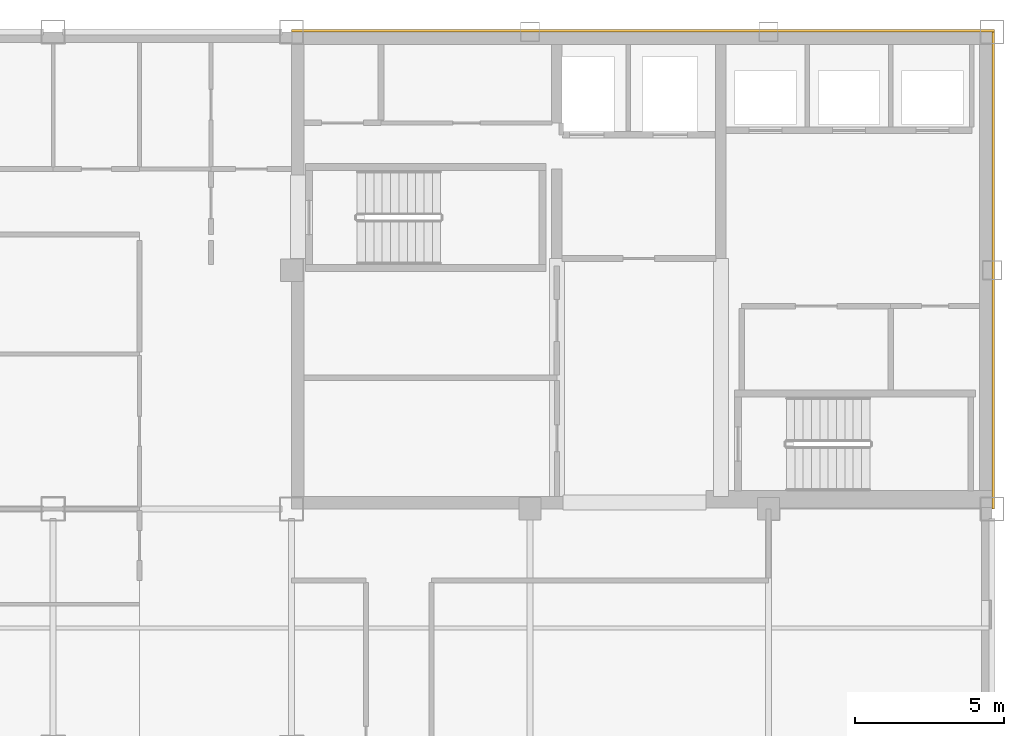
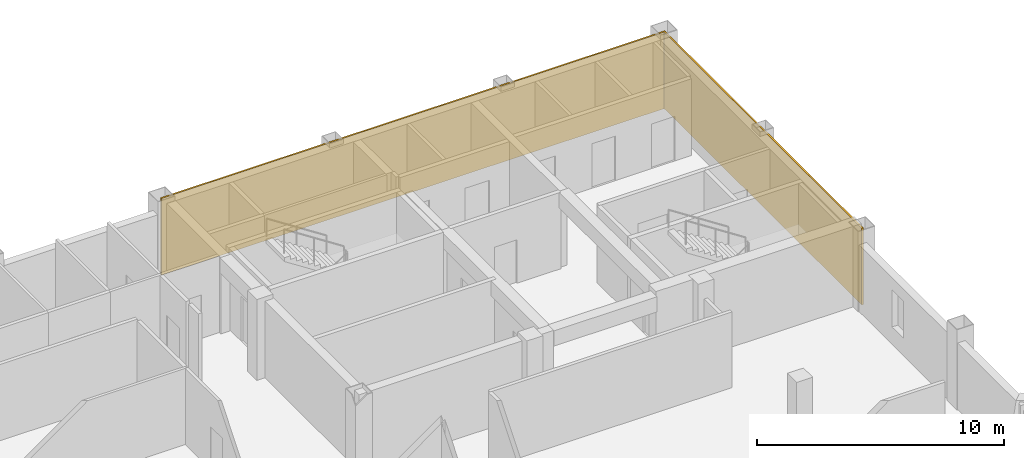
# One storey, part 7 of 7: 2 coverings.
"""IFC4 building model written with IfcOpenShell, lengths in metres."""

from ifc_helpers import new_model, si_unit, direction, frame, origin, origin_2d, place, context, subcontext, project, spatial, rectangle, extrude, material, layer, layer_set, type_object, element, save


model = new_model("IFC4")

# Units and contexts
model_context = context("Model", 3, precision=1e-05, world=origin(), true_north=direction((0.0, 1.0)))
body_context = subcontext(model_context, "Body", "Model", "MODEL_VIEW")
ifc_project = project(units=[si_unit("LENGTHUNIT", "METRE"), si_unit("AREAUNIT", "SQUARE_METRE"), si_unit("VOLUMEUNIT", "CUBIC_METRE"), si_unit("PLANEANGLEUNIT", "RADIAN"), si_unit("MASSUNIT", "GRAM", prefix="KILO")], contexts=[model_context])

# Site, building, storey
site_placement = place(None, origin())
site = spatial("IfcSite", under=ifc_project, at=site_placement, CompositionType="ELEMENT")
building_placement = place(site_placement, origin())
building = spatial("IfcBuilding", under=site, at=building_placement, Name="Qianrong Seaharbour Tower", CompositionType="ELEMENT")
storey_placement = place(building_placement, frame((0.0, 0.0, 311.199951171875)))
storey = spatial("IfcBuildingStorey", under=building, at=storey_placement, Name="L75", CompositionType="ELEMENT", Elevation=311.199951171875)

# Coverings
ifc_material = material(Name="Unitised red brick cladding on Precast concrete C45/55", Category="masonry")
ifc_layer = layer(ifc_material, 0.080078125)
ifc_layer_set = layer_set([ifc_layer], Name="Unitised red brick cladding on Precast concrete C45/55")
covering_type = type_object("IfcCoveringType", Name="COV-CLAD-RED-BRICK-80", PredefinedType="CLADDING", material=ifc_layer_set)
covering_1_placement = place(storey_placement, frame((52.2900390625, 52.0400390625, 0.0), z_axis=(0.0, 0.0, 1.0), x_axis=(1.0, 0.0, 0.0)))
element("IfcCovering", 1, at=covering_1_placement, inside=storey, type_object=covering_type, Name="L75 North Core Brick Veneer Cladding", PredefinedType="CLADDING", context=body_context, shape_type="SweptSolid", body=[
    extrude(rectangle(XDim=23.580078125, YDim=0.080078125, at=origin_2d()), origin(), (0.0, 0.0, 1.0), 3.784912109375),
])
covering_2_placement = place(storey_placement, frame((64.0400390625, 44.0, 0.0), z_axis=(0.0, 0.0, 1.0), x_axis=(1.0, 0.0, 0.0)))
element("IfcCovering", 2, at=covering_2_placement, inside=storey, type_object=covering_type, Name="L75 East Core Brick Veneer Cladding", PredefinedType="CLADDING", context=body_context, shape_type="SweptSolid", body=[
    extrude(rectangle(XDim=0.080078125, YDim=16.0, at=origin_2d()), origin(), (0.0, 0.0, 1.0), 3.784912109375),
])

save(model, "model.ifc")
